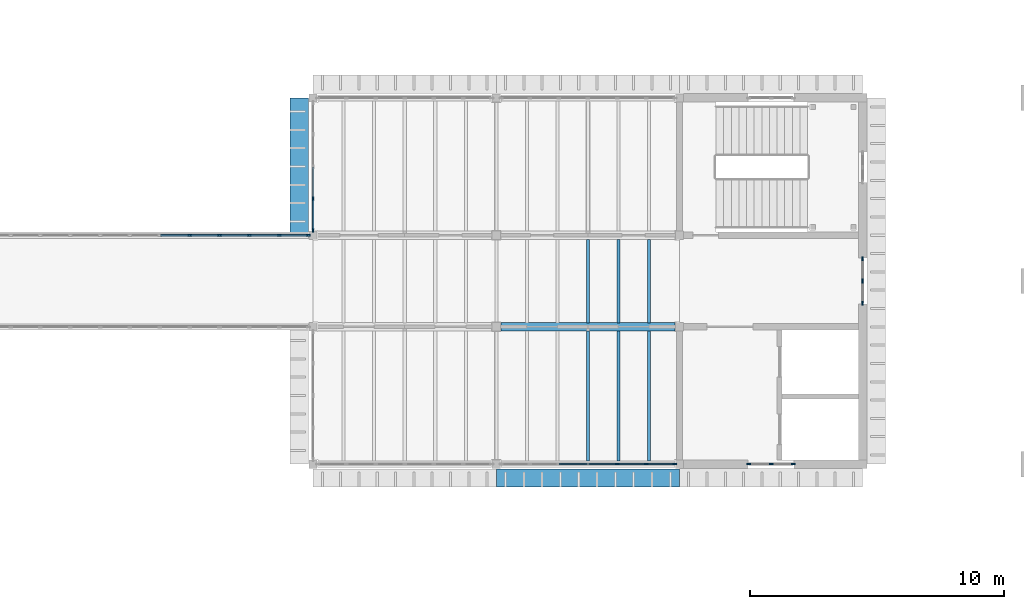
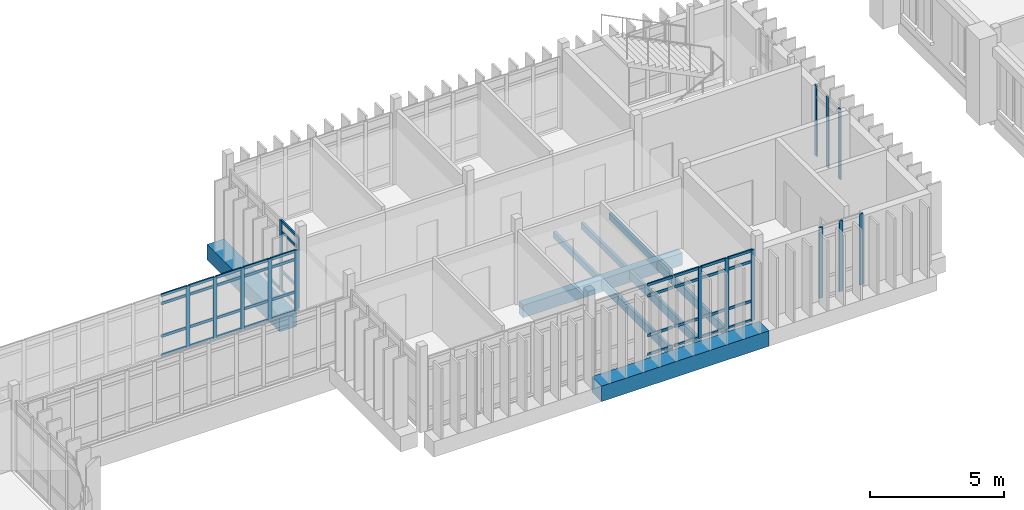
# One storey, part 16 of 71: 59 members, 7 beams, 5 elements without a shape of their own.
"""IFC4 building model written with IfcOpenShell, lengths in metres."""

from ifc_helpers import new_model, si_unit, direction, frame, origin, origin_2d, place, context, subcontext, project, spatial, rectangle, extrude, material, layer, layer_set, material_profile, profile_set, type_object, element, aggregate, save


model = new_model("IFC4")

# Units and contexts
model_context = context("Model", 3, precision=1e-05, world=origin(), true_north=direction((0.0, 1.0)))
body_context = subcontext(model_context, "Body", "Model", "MODEL_VIEW")
ifc_project = project(units=[si_unit("LENGTHUNIT", "METRE"), si_unit("AREAUNIT", "SQUARE_METRE"), si_unit("VOLUMEUNIT", "CUBIC_METRE"), si_unit("PLANEANGLEUNIT", "RADIAN"), si_unit("MASSUNIT", "GRAM", prefix="KILO")], contexts=[model_context])

# Site, building, storey
site_placement = place(None, origin())
site = spatial("IfcSite", under=ifc_project, at=site_placement, CompositionType="ELEMENT")
building_placement = place(site_placement, origin())
building = spatial("IfcBuilding", under=site, at=building_placement, Name="Mazhai Court Health Centre", CompositionType="ELEMENT")
storey_placement = place(building_placement, frame((0.0, 0.0, 10.199951171875)))
storey = spatial("IfcBuildingStorey", under=building, at=storey_placement, Name="L02", CompositionType="ELEMENT", Elevation=10.199951171875)

# Curtain wall, members
ifc_material_1 = material(Name="Teak timber frame, glazed", Category="wood")
ifc_layer_1 = layer(ifc_material_1, 0.10009765625)
ifc_layer_set_1 = layer_set([ifc_layer_1], Name="CURTAIN WALL TIMBER 900")
curtain_wall_type_1 = type_object("IfcCurtainWallType", Name="CURTAIN WALL TIMBER 900", PredefinedType="NOTDEFINED", material=ifc_layer_set_1)
curtain_wall_1_placement = place(storey_placement, origin())
curtain_wall_1 = element("IfcCurtainWall", 1, at=curtain_wall_1_placement, inside=storey, type_object=curtain_wall_type_1, Name="CW-V4-L02-A7", PredefinedType="NOTDEFINED")
ifc_material_2 = material(Name="Teak timber", Category="wood")
ifc_material_profile_1 = material_profile(ifc_material_2, rectangle(XDim=0.06005859375, YDim=0.159912109375, at=origin_2d()), Name="CW MULLION 60x160")
ifc_profile_set_1 = profile_set([ifc_material_profile_1], Name="Teak timber")
member_type_1 = type_object("IfcMemberType", Name="CW MULLION 60x160", PredefinedType="MULLION", material=ifc_profile_set_1)
member_1_placement = place(storey_placement, frame((125.8701171875, 13.39990234375, 0.0), z_axis=(0.0, 0.0, 1.0), x_axis=(0.0, -1.0, 0.0)))
member_1 = element("IfcMember", 2, at=member_1_placement, type_object=member_type_1, Name="CW mullion 1", PredefinedType="MULLION", context=body_context, shape_type="SweptSolid", body=[
    extrude(rectangle(XDim=0.06005859375, YDim=0.159912109375, at=origin_2d()), origin(), (0.0, 0.0, 1.0), 3.219970703125),
])
member_2_placement = place(storey_placement, frame((125.0, 13.39990234375, 0.0), z_axis=(0.0, 0.0, 1.0), x_axis=(0.0, -1.0, 0.0)))
member_2 = element("IfcMember", 3, at=member_2_placement, type_object=member_type_1, Name="CW mullion 2", PredefinedType="MULLION", context=body_context, shape_type="SweptSolid", body=[
    extrude(rectangle(XDim=0.06005859375, YDim=0.159912109375, at=origin_2d()), origin(), (0.0, 0.0, 1.0), 3.219970703125),
])
member_3_placement = place(storey_placement, frame((124.1298828125, 13.39990234375, 0.0), z_axis=(0.0, 0.0, 1.0), x_axis=(0.0, -1.0, 0.0)))
member_3 = element("IfcMember", 4, at=member_3_placement, type_object=member_type_1, Name="CW mullion 3", PredefinedType="MULLION", context=body_context, shape_type="SweptSolid", body=[
    extrude(rectangle(XDim=0.06005859375, YDim=0.159912109375, at=origin_2d()), origin(), (0.0, 0.0, 1.0), 3.219970703125),
])
aggregate(curtain_wall_1, [member_1, member_2, member_3])

curtain_wall_2_placement = place(storey_placement, origin())
curtain_wall_2 = element("IfcCurtainWall", 5, at=curtain_wall_2_placement, inside=storey, type_object=curtain_wall_type_1, Name="CW-V4-L02-ELIFT0", PredefinedType="NOTDEFINED")
member_4_placement = place(storey_placement, frame((128.60009765625, 21.469970703125, 0.0), z_axis=(0.0, 0.0, 1.0), x_axis=(1.0, 0.0, 0.0)))
member_4 = element("IfcMember", 6, at=member_4_placement, type_object=member_type_1, Name="CW mullion 1", PredefinedType="MULLION", context=body_context, shape_type="SweptSolid", body=[
    extrude(rectangle(XDim=0.06005859375, YDim=0.159912109375, at=origin_2d()), origin(), (0.0, 0.0, 1.0), 3.199951171875),
])
member_5_placement = place(storey_placement, frame((128.60009765625, 20.60009765625, 0.0), z_axis=(0.0, 0.0, 1.0), x_axis=(1.0, 0.0, 0.0)))
member_5 = element("IfcMember", 7, at=member_5_placement, type_object=member_type_1, Name="CW mullion 2", PredefinedType="MULLION", context=body_context, shape_type="SweptSolid", body=[
    extrude(rectangle(XDim=0.06005859375, YDim=0.159912109375, at=origin_2d()), origin(), (0.0, 0.0, 1.0), 3.199951171875),
])
member_6_placement = place(storey_placement, frame((128.60009765625, 19.72998046875, 0.0), z_axis=(0.0, 0.0, 1.0), x_axis=(1.0, 0.0, 0.0)))
member_6 = element("IfcMember", 8, at=member_6_placement, type_object=member_type_1, Name="CW mullion 3", PredefinedType="MULLION", context=body_context, shape_type="SweptSolid", body=[
    extrude(rectangle(XDim=0.06005859375, YDim=0.159912109375, at=origin_2d()), origin(), (0.0, 0.0, 1.0), 3.199951171875),
])
aggregate(curtain_wall_2, [member_4, member_5, member_6])

ifc_material_3 = material(Name="Teak timber frame, glazed", Category="wood")
ifc_layer_2 = layer(ifc_material_3, 0.10009765625)
ifc_layer_set_2 = layer_set([ifc_layer_2], Name="CURTAIN WALL TIMBER 1200")
curtain_wall_type_2 = type_object("IfcCurtainWallType", Name="CURTAIN WALL TIMBER 1200", PredefinedType="NOTDEFINED", material=ifc_layer_set_2)
curtain_wall_3_placement = place(storey_placement, origin())
curtain_wall_3 = element("IfcCurtainWall", 9, at=curtain_wall_3_placement, inside=storey, type_object=curtain_wall_type_2, Name="CW-V4-L02-A6", PredefinedType="NOTDEFINED")
member_7_placement = place(storey_placement, frame((121.2099609375, 13.39990234375, 0.0), z_axis=(0.0, 0.0, 1.0), x_axis=(0.0, -1.0, 0.0)))
member_7 = element("IfcMember", 10, at=member_7_placement, type_object=member_type_1, Name="CW mullion 1", PredefinedType="MULLION", context=body_context, shape_type="SweptSolid", body=[
    extrude(rectangle(XDim=0.06005859375, YDim=0.159912109375, at=origin_2d()), origin(), (0.0, 0.0, 1.0), 3.219970703125),
])
member_8_placement = place(storey_placement, frame((120.09326171875, 13.39990234375, 0.0), z_axis=(0.0, 0.0, 1.0), x_axis=(0.0, -1.0, 0.0)))
member_8 = element("IfcMember", 11, at=member_8_placement, type_object=member_type_1, Name="CW mullion 2", PredefinedType="MULLION", context=body_context, shape_type="SweptSolid", body=[
    extrude(rectangle(XDim=0.06005859375, YDim=0.159912109375, at=origin_2d()), origin(), (0.0, 0.0, 1.0), 3.219970703125),
])
member_9_placement = place(storey_placement, frame((118.94677734375, 13.39990234375, 0.0), z_axis=(0.0, 0.0, 1.0), x_axis=(0.0, -1.0, 0.0)))
member_9 = element("IfcMember", 12, at=member_9_placement, type_object=member_type_1, Name="CW mullion 3", PredefinedType="MULLION", context=body_context, shape_type="SweptSolid", body=[
    extrude(rectangle(XDim=0.06005859375, YDim=0.159912109375, at=origin_2d()), origin(), (0.0, 0.0, 1.0), 3.219970703125),
])

curtain_wall_4_placement = place(storey_placement, origin())
curtain_wall_4 = element("IfcCurtainWall", 13, at=curtain_wall_4_placement, inside=storey, type_object=curtain_wall_type_2, Name="CW-V4-L02-CW5-1", PredefinedType="NOTDEFINED")
member_10_placement = place(storey_placement, frame((107.0, 22.590087890625, 0.0), z_axis=(0.0, 0.0, 1.0), x_axis=(-1.0, 0.0, 0.0)))
member_10 = element("IfcMember", 14, at=member_10_placement, type_object=member_type_1, Name="CW mullion 1", PredefinedType="MULLION", context=body_context, shape_type="SweptSolid", body=[
    extrude(rectangle(XDim=0.06005859375, YDim=0.159912109375, at=origin_2d()), origin(), (0.0, 0.0, 1.0), 3.199951171875),
])
member_11_placement = place(storey_placement, frame((107.0, 23.830078125, 0.0), z_axis=(0.0, 0.0, 1.0), x_axis=(-1.0, 0.0, 0.0)))
member_11 = element("IfcMember", 15, at=member_11_placement, type_object=member_type_1, Name="CW mullion 2", PredefinedType="MULLION", context=body_context, shape_type="SweptSolid", body=[
    extrude(rectangle(XDim=0.06005859375, YDim=0.159912109375, at=origin_2d()), origin(), (0.0, 0.0, 1.0), 3.199951171875),
])

curtain_wall_5_placement = place(storey_placement, origin())
curtain_wall_5 = element("IfcCurtainWall", 16, at=curtain_wall_5_placement, inside=storey, type_object=curtain_wall_type_2, Name="CW-BR-LC2-N", PredefinedType="NOTDEFINED")
member_12_placement = place(storey_placement, frame((102.146728515625, 22.39990234375, 0.0), z_axis=(0.0, 0.0, 1.0), x_axis=(0.0, 1.0, 0.0)))
member_12 = element("IfcMember", 17, at=member_12_placement, type_object=member_type_1, Name="CW mullion 9", PredefinedType="MULLION", context=body_context, shape_type="SweptSolid", body=[
    extrude(rectangle(XDim=0.06005859375, YDim=0.159912109375, at=origin_2d()), origin(), (0.0, 0.0, 1.0), 2.780029296875),
])
member_13_placement = place(storey_placement, frame((103.320068359375, 22.39990234375, 0.0), z_axis=(0.0, 0.0, 1.0), x_axis=(0.0, 1.0, 0.0)))
member_13 = element("IfcMember", 18, at=member_13_placement, type_object=member_type_1, Name="CW mullion 10", PredefinedType="MULLION", context=body_context, shape_type="SweptSolid", body=[
    extrude(rectangle(XDim=0.06005859375, YDim=0.159912109375, at=origin_2d()), origin(), (0.0, 0.0, 1.0), 2.780029296875),
])
member_14_placement = place(storey_placement, frame((104.493408203125, 22.39990234375, 0.0), z_axis=(0.0, 0.0, 1.0), x_axis=(0.0, 1.0, 0.0)))
member_14 = element("IfcMember", 19, at=member_14_placement, type_object=member_type_1, Name="CW mullion 11", PredefinedType="MULLION", context=body_context, shape_type="SweptSolid", body=[
    extrude(rectangle(XDim=0.06005859375, YDim=0.159912109375, at=origin_2d()), origin(), (0.0, 0.0, 1.0), 2.780029296875),
])
member_15_placement = place(storey_placement, frame((105.666748046875, 22.39990234375, 0.0), z_axis=(0.0, 0.0, 1.0), x_axis=(0.0, 1.0, 0.0)))
member_15 = element("IfcMember", 20, at=member_15_placement, type_object=member_type_1, Name="CW mullion 12", PredefinedType="MULLION", context=body_context, shape_type="SweptSolid", body=[
    extrude(rectangle(XDim=0.06005859375, YDim=0.159912109375, at=origin_2d()), origin(), (0.0, 0.0, 1.0), 2.780029296875),
])
member_16_placement = place(storey_placement, frame((106.81005859375, 22.39990234375, 0.0), z_axis=(0.0, 0.0, 1.0), x_axis=(0.0, 1.0, 0.0)))
member_16 = element("IfcMember", 21, at=member_16_placement, type_object=member_type_1, Name="CW mullion 13", PredefinedType="MULLION", context=body_context, shape_type="SweptSolid", body=[
    extrude(rectangle(XDim=0.06005859375, YDim=0.159912109375, at=origin_2d()), origin(), (0.0, 0.0, 1.0), 2.780029296875),
])

# Member
ifc_material_4 = material(Name="Teak timber", Category="wood")
ifc_material_profile_2 = material_profile(ifc_material_4, rectangle(XDim=0.06005859375, YDim=0.1201171875, at=origin_2d()), Name="CW TRANSOM 60x120")
ifc_profile_set_2 = profile_set([ifc_material_profile_2], Name="Teak timber")
member_type_2 = type_object("IfcMemberType", Name="CW TRANSOM 60x120", PredefinedType="USERDEFINED", material=ifc_profile_set_2)
member_17_placement = place(storey_placement, frame((121.179931640625, 13.39990234375, 0.030029296875), z_axis=(-1.0, 0.0, 0.0), x_axis=(0.0, -1.0, 0.0)))
member_17 = element("IfcMember", 22, at=member_17_placement, type_object=member_type_2, Name="CW transom 1.1", ObjectType="TRANSOM", PredefinedType="USERDEFINED", context=body_context, shape_type="SweptSolid", body=[
    extrude(rectangle(XDim=0.06005859375, YDim=0.1201171875, at=origin_2d()), origin(), (0.0, 0.0, 1.0), 1.056640625),
])

member_18_placement = place(storey_placement, frame((121.179931640625, 13.39990234375, 0.900146484375), z_axis=(-1.0, 0.0, 0.0), x_axis=(0.0, -1.0, 0.0)))
member_18 = element("IfcMember", 23, at=member_18_placement, type_object=member_type_2, Name="CW transom 1.2", ObjectType="TRANSOM", PredefinedType="USERDEFINED", context=body_context, shape_type="SweptSolid", body=[
    extrude(rectangle(XDim=0.06005859375, YDim=0.1201171875, at=origin_2d()), origin(), (0.0, 0.0, 1.0), 1.056640625),
])

member_19_placement = place(storey_placement, frame((121.179931640625, 13.39990234375, 2.699951171875), z_axis=(-1.0, 0.0, 0.0), x_axis=(0.0, -1.0, 0.0)))
member_19 = element("IfcMember", 24, at=member_19_placement, type_object=member_type_2, Name="CW transom 1.3", ObjectType="TRANSOM", PredefinedType="USERDEFINED", context=body_context, shape_type="SweptSolid", body=[
    extrude(rectangle(XDim=0.06005859375, YDim=0.1201171875, at=origin_2d()), origin(), (0.0, 0.0, 1.0), 1.056640625),
])

member_20_placement = place(storey_placement, frame((121.179931640625, 13.39990234375, 3.18994140625), z_axis=(-1.0, 0.0, 0.0), x_axis=(0.0, -1.0, 0.0)))
member_20 = element("IfcMember", 25, at=member_20_placement, type_object=member_type_2, Name="CW transom 1.4", ObjectType="TRANSOM", PredefinedType="USERDEFINED", context=body_context, shape_type="SweptSolid", body=[
    extrude(rectangle(XDim=0.06005859375, YDim=0.1201171875, at=origin_2d()), origin(), (0.0, 0.0, 1.0), 1.056640625),
])

member_21_placement = place(storey_placement, frame((120.063232421875, 13.39990234375, 0.030029296875), z_axis=(-1.0, 0.0, 0.0), x_axis=(0.0, -1.0, 0.0)))
member_21 = element("IfcMember", 26, at=member_21_placement, type_object=member_type_2, Name="CW transom 2.1", ObjectType="TRANSOM", PredefinedType="USERDEFINED", context=body_context, shape_type="SweptSolid", body=[
    extrude(rectangle(XDim=0.06005859375, YDim=0.1201171875, at=origin_2d()), origin(), (0.0, 0.0, 1.0), 1.086669921875),
])

member_22_placement = place(storey_placement, frame((120.063232421875, 13.39990234375, 0.900146484375), z_axis=(-1.0, 0.0, 0.0), x_axis=(0.0, -1.0, 0.0)))
member_22 = element("IfcMember", 27, at=member_22_placement, type_object=member_type_2, Name="CW transom 2.2", ObjectType="TRANSOM", PredefinedType="USERDEFINED", context=body_context, shape_type="SweptSolid", body=[
    extrude(rectangle(XDim=0.06005859375, YDim=0.1201171875, at=origin_2d()), origin(), (0.0, 0.0, 1.0), 1.086669921875),
])

member_23_placement = place(storey_placement, frame((120.063232421875, 13.39990234375, 2.699951171875), z_axis=(-1.0, 0.0, 0.0), x_axis=(0.0, -1.0, 0.0)))
member_23 = element("IfcMember", 28, at=member_23_placement, type_object=member_type_2, Name="CW transom 2.3", ObjectType="TRANSOM", PredefinedType="USERDEFINED", context=body_context, shape_type="SweptSolid", body=[
    extrude(rectangle(XDim=0.06005859375, YDim=0.1201171875, at=origin_2d()), origin(), (0.0, 0.0, 1.0), 1.086669921875),
])

member_24_placement = place(storey_placement, frame((120.063232421875, 13.39990234375, 3.18994140625), z_axis=(-1.0, 0.0, 0.0), x_axis=(0.0, -1.0, 0.0)))
member_24 = element("IfcMember", 29, at=member_24_placement, type_object=member_type_2, Name="CW transom 2.4", ObjectType="TRANSOM", PredefinedType="USERDEFINED", context=body_context, shape_type="SweptSolid", body=[
    extrude(rectangle(XDim=0.06005859375, YDim=0.1201171875, at=origin_2d()), origin(), (0.0, 0.0, 1.0), 1.086669921875),
])

member_25_placement = place(storey_placement, frame((118.916748046875, 13.39990234375, 0.030029296875), z_axis=(-1.0, 0.0, 0.0), x_axis=(0.0, -1.0, 0.0)))
member_25 = element("IfcMember", 30, at=member_25_placement, type_object=member_type_2, Name="CW transom 3.1", ObjectType="TRANSOM", PredefinedType="USERDEFINED", context=body_context, shape_type="SweptSolid", body=[
    extrude(rectangle(XDim=0.06005859375, YDim=0.1201171875, at=origin_2d()), origin(), (0.0, 0.0, 1.0), 1.086669921875),
])

member_26_placement = place(storey_placement, frame((118.916748046875, 13.39990234375, 0.900146484375), z_axis=(-1.0, 0.0, 0.0), x_axis=(0.0, -1.0, 0.0)))
member_26 = element("IfcMember", 31, at=member_26_placement, type_object=member_type_2, Name="CW transom 3.2", ObjectType="TRANSOM", PredefinedType="USERDEFINED", context=body_context, shape_type="SweptSolid", body=[
    extrude(rectangle(XDim=0.06005859375, YDim=0.1201171875, at=origin_2d()), origin(), (0.0, 0.0, 1.0), 1.086669921875),
])

member_27_placement = place(storey_placement, frame((118.916748046875, 13.39990234375, 2.699951171875), z_axis=(-1.0, 0.0, 0.0), x_axis=(0.0, -1.0, 0.0)))
member_27 = element("IfcMember", 32, at=member_27_placement, type_object=member_type_2, Name="CW transom 3.3", ObjectType="TRANSOM", PredefinedType="USERDEFINED", context=body_context, shape_type="SweptSolid", body=[
    extrude(rectangle(XDim=0.06005859375, YDim=0.1201171875, at=origin_2d()), origin(), (0.0, 0.0, 1.0), 1.086669921875),
])

member_28_placement = place(storey_placement, frame((118.916748046875, 13.39990234375, 3.18994140625), z_axis=(-1.0, 0.0, 0.0), x_axis=(0.0, -1.0, 0.0)))
member_28 = element("IfcMember", 33, at=member_28_placement, type_object=member_type_2, Name="CW transom 3.4", ObjectType="TRANSOM", PredefinedType="USERDEFINED", context=body_context, shape_type="SweptSolid", body=[
    extrude(rectangle(XDim=0.06005859375, YDim=0.1201171875, at=origin_2d()), origin(), (0.0, 0.0, 1.0), 1.086669921875),
])

member_29_placement = place(storey_placement, frame((117.77001953125, 13.39990234375, 0.030029296875), z_axis=(-1.0, 0.0, 0.0), x_axis=(0.0, -1.0, 0.0)))
member_29 = element("IfcMember", 34, at=member_29_placement, type_object=member_type_2, Name="CW transom 4.1", ObjectType="TRANSOM", PredefinedType="USERDEFINED", context=body_context, shape_type="SweptSolid", body=[
    extrude(rectangle(XDim=0.06005859375, YDim=0.1201171875, at=origin_2d()), origin(), (0.0, 0.0, 1.0), 1.086669921875),
])

member_30_placement = place(storey_placement, frame((117.77001953125, 13.39990234375, 0.900146484375), z_axis=(-1.0, 0.0, 0.0), x_axis=(0.0, -1.0, 0.0)))
member_30 = element("IfcMember", 35, at=member_30_placement, type_object=member_type_2, Name="CW transom 4.2", ObjectType="TRANSOM", PredefinedType="USERDEFINED", context=body_context, shape_type="SweptSolid", body=[
    extrude(rectangle(XDim=0.06005859375, YDim=0.1201171875, at=origin_2d()), origin(), (0.0, 0.0, 1.0), 1.086669921875),
])

member_31_placement = place(storey_placement, frame((117.77001953125, 13.39990234375, 2.699951171875), z_axis=(-1.0, 0.0, 0.0), x_axis=(0.0, -1.0, 0.0)))
member_31 = element("IfcMember", 36, at=member_31_placement, type_object=member_type_2, Name="CW transom 4.3", ObjectType="TRANSOM", PredefinedType="USERDEFINED", context=body_context, shape_type="SweptSolid", body=[
    extrude(rectangle(XDim=0.06005859375, YDim=0.1201171875, at=origin_2d()), origin(), (0.0, 0.0, 1.0), 1.086669921875),
])

member_32_placement = place(storey_placement, frame((117.77001953125, 13.39990234375, 3.18994140625), z_axis=(-1.0, 0.0, 0.0), x_axis=(0.0, -1.0, 0.0)))
member_32 = element("IfcMember", 37, at=member_32_placement, type_object=member_type_2, Name="CW transom 4.4", ObjectType="TRANSOM", PredefinedType="USERDEFINED", context=body_context, shape_type="SweptSolid", body=[
    extrude(rectangle(XDim=0.06005859375, YDim=0.1201171875, at=origin_2d()), origin(), (0.0, 0.0, 1.0), 1.086669921875),
])

aggregate(curtain_wall_3, [member_7, member_8, member_9, member_17, member_18, member_19, member_20, member_21, member_22, member_23, member_24, member_25, member_26, member_27, member_28, member_29, member_30, member_31, member_32])

member_33_placement = place(storey_placement, frame((107.0, 22.6201171875, 0.030029296875), z_axis=(0.0, 1.0, 0.0), x_axis=(-1.0, 0.0, 0.0)))
member_33 = element("IfcMember", 38, at=member_33_placement, type_object=member_type_2, Name="CW transom 1.1", ObjectType="TRANSOM", PredefinedType="USERDEFINED", context=body_context, shape_type="SweptSolid", body=[
    extrude(rectangle(XDim=0.06005859375, YDim=0.1201171875, at=origin_2d()), origin(), (0.0, 0.0, 1.0), 1.179931640625),
])

member_34_placement = place(storey_placement, frame((107.0, 22.6201171875, 0.900146484375), z_axis=(0.0, 1.0, 0.0), x_axis=(-1.0, 0.0, 0.0)))
member_34 = element("IfcMember", 39, at=member_34_placement, type_object=member_type_2, Name="CW transom 1.2", ObjectType="TRANSOM", PredefinedType="USERDEFINED", context=body_context, shape_type="SweptSolid", body=[
    extrude(rectangle(XDim=0.06005859375, YDim=0.1201171875, at=origin_2d()), origin(), (0.0, 0.0, 1.0), 1.179931640625),
])

member_35_placement = place(storey_placement, frame((107.0, 22.6201171875, 2.699951171875), z_axis=(0.0, 1.0, 0.0), x_axis=(-1.0, 0.0, 0.0)))
member_35 = element("IfcMember", 40, at=member_35_placement, type_object=member_type_2, Name="CW transom 1.3", ObjectType="TRANSOM", PredefinedType="USERDEFINED", context=body_context, shape_type="SweptSolid", body=[
    extrude(rectangle(XDim=0.06005859375, YDim=0.1201171875, at=origin_2d()), origin(), (0.0, 0.0, 1.0), 1.179931640625),
])

member_36_placement = place(storey_placement, frame((107.0, 22.6201171875, 3.170166015625), z_axis=(0.0, 1.0, 0.0), x_axis=(-1.0, 0.0, 0.0)))
member_36 = element("IfcMember", 41, at=member_36_placement, type_object=member_type_2, Name="CW transom 1.4", ObjectType="TRANSOM", PredefinedType="USERDEFINED", context=body_context, shape_type="SweptSolid", body=[
    extrude(rectangle(XDim=0.06005859375, YDim=0.1201171875, at=origin_2d()), origin(), (0.0, 0.0, 1.0), 1.179931640625),
])

member_37_placement = place(storey_placement, frame((107.0, 23.860107421875, 0.030029296875), z_axis=(0.0, 1.0, 0.0), x_axis=(-1.0, 0.0, 0.0)))
member_37 = element("IfcMember", 42, at=member_37_placement, type_object=member_type_2, Name="CW transom 2.1", ObjectType="TRANSOM", PredefinedType="USERDEFINED", context=body_context, shape_type="SweptSolid", body=[
    extrude(rectangle(XDim=0.06005859375, YDim=0.1201171875, at=origin_2d()), origin(), (0.0, 0.0, 1.0), 1.2099609375),
])

aggregate(curtain_wall_4, [member_10, member_11, member_33, member_34, member_35, member_36, member_37])

member_38_placement = place(storey_placement, frame((101.00341796875, 22.39990234375, 0.030029296875), z_axis=(1.0, 0.0, 0.0), x_axis=(0.0, 1.0, 0.0)))
member_38 = element("IfcMember", 43, at=member_38_placement, type_object=member_type_2, Name="CW transom 8.1", ObjectType="TRANSOM", PredefinedType="USERDEFINED", context=body_context, shape_type="SweptSolid", body=[
    extrude(rectangle(XDim=0.06005859375, YDim=0.1201171875, at=origin_2d()), origin(), (0.0, 0.0, 1.0), 1.11328125),
])

member_39_placement = place(storey_placement, frame((101.00341796875, 22.39990234375, 0.900146484375), z_axis=(1.0, 0.0, 0.0), x_axis=(0.0, 1.0, 0.0)))
member_39 = element("IfcMember", 44, at=member_39_placement, type_object=member_type_2, Name="CW transom 8.2", ObjectType="TRANSOM", PredefinedType="USERDEFINED", context=body_context, shape_type="SweptSolid", body=[
    extrude(rectangle(XDim=0.06005859375, YDim=0.1201171875, at=origin_2d()), origin(), (0.0, 0.0, 1.0), 1.11328125),
])

member_40_placement = place(storey_placement, frame((101.00341796875, 22.39990234375, 2.380126953125), z_axis=(1.0, 0.0, 0.0), x_axis=(0.0, 1.0, 0.0)))
member_40 = element("IfcMember", 45, at=member_40_placement, type_object=member_type_2, Name="CW transom 8.3", ObjectType="TRANSOM", PredefinedType="USERDEFINED", context=body_context, shape_type="SweptSolid", body=[
    extrude(rectangle(XDim=0.06005859375, YDim=0.1201171875, at=origin_2d()), origin(), (0.0, 0.0, 1.0), 1.11328125),
])

member_41_placement = place(storey_placement, frame((101.00341796875, 22.39990234375, 2.75), z_axis=(1.0, 0.0, 0.0), x_axis=(0.0, 1.0, 0.0)))
member_41 = element("IfcMember", 46, at=member_41_placement, type_object=member_type_2, Name="CW transom 8.4", ObjectType="TRANSOM", PredefinedType="USERDEFINED", context=body_context, shape_type="SweptSolid", body=[
    extrude(rectangle(XDim=0.06005859375, YDim=0.1201171875, at=origin_2d()), origin(), (0.0, 0.0, 1.0), 1.11328125),
])

member_42_placement = place(storey_placement, frame((102.1767578125, 22.39990234375, 0.030029296875), z_axis=(1.0, 0.0, 0.0), x_axis=(0.0, 1.0, 0.0)))
member_42 = element("IfcMember", 47, at=member_42_placement, type_object=member_type_2, Name="CW transom 9.1", ObjectType="TRANSOM", PredefinedType="USERDEFINED", context=body_context, shape_type="SweptSolid", body=[
    extrude(rectangle(XDim=0.06005859375, YDim=0.1201171875, at=origin_2d()), origin(), (0.0, 0.0, 1.0), 1.11328125),
])

member_43_placement = place(storey_placement, frame((102.1767578125, 22.39990234375, 0.900146484375), z_axis=(1.0, 0.0, 0.0), x_axis=(0.0, 1.0, 0.0)))
member_43 = element("IfcMember", 48, at=member_43_placement, type_object=member_type_2, Name="CW transom 9.2", ObjectType="TRANSOM", PredefinedType="USERDEFINED", context=body_context, shape_type="SweptSolid", body=[
    extrude(rectangle(XDim=0.06005859375, YDim=0.1201171875, at=origin_2d()), origin(), (0.0, 0.0, 1.0), 1.11328125),
])

member_44_placement = place(storey_placement, frame((102.1767578125, 22.39990234375, 2.380126953125), z_axis=(1.0, 0.0, 0.0), x_axis=(0.0, 1.0, 0.0)))
member_44 = element("IfcMember", 49, at=member_44_placement, type_object=member_type_2, Name="CW transom 9.3", ObjectType="TRANSOM", PredefinedType="USERDEFINED", context=body_context, shape_type="SweptSolid", body=[
    extrude(rectangle(XDim=0.06005859375, YDim=0.1201171875, at=origin_2d()), origin(), (0.0, 0.0, 1.0), 1.11328125),
])

member_45_placement = place(storey_placement, frame((102.1767578125, 22.39990234375, 2.75), z_axis=(1.0, 0.0, 0.0), x_axis=(0.0, 1.0, 0.0)))
member_45 = element("IfcMember", 50, at=member_45_placement, type_object=member_type_2, Name="CW transom 9.4", ObjectType="TRANSOM", PredefinedType="USERDEFINED", context=body_context, shape_type="SweptSolid", body=[
    extrude(rectangle(XDim=0.06005859375, YDim=0.1201171875, at=origin_2d()), origin(), (0.0, 0.0, 1.0), 1.11328125),
])

member_46_placement = place(storey_placement, frame((103.35009765625, 22.39990234375, 0.030029296875), z_axis=(1.0, 0.0, 0.0), x_axis=(0.0, 1.0, 0.0)))
member_46 = element("IfcMember", 51, at=member_46_placement, type_object=member_type_2, Name="CW transom 10.1", ObjectType="TRANSOM", PredefinedType="USERDEFINED", context=body_context, shape_type="SweptSolid", body=[
    extrude(rectangle(XDim=0.06005859375, YDim=0.1201171875, at=origin_2d()), origin(), (0.0, 0.0, 1.0), 1.11328125),
])

member_47_placement = place(storey_placement, frame((103.35009765625, 22.39990234375, 0.900146484375), z_axis=(1.0, 0.0, 0.0), x_axis=(0.0, 1.0, 0.0)))
member_47 = element("IfcMember", 52, at=member_47_placement, type_object=member_type_2, Name="CW transom 10.2", ObjectType="TRANSOM", PredefinedType="USERDEFINED", context=body_context, shape_type="SweptSolid", body=[
    extrude(rectangle(XDim=0.06005859375, YDim=0.1201171875, at=origin_2d()), origin(), (0.0, 0.0, 1.0), 1.11328125),
])

member_48_placement = place(storey_placement, frame((103.35009765625, 22.39990234375, 2.380126953125), z_axis=(1.0, 0.0, 0.0), x_axis=(0.0, 1.0, 0.0)))
member_48 = element("IfcMember", 53, at=member_48_placement, type_object=member_type_2, Name="CW transom 10.3", ObjectType="TRANSOM", PredefinedType="USERDEFINED", context=body_context, shape_type="SweptSolid", body=[
    extrude(rectangle(XDim=0.06005859375, YDim=0.1201171875, at=origin_2d()), origin(), (0.0, 0.0, 1.0), 1.11328125),
])

member_49_placement = place(storey_placement, frame((103.35009765625, 22.39990234375, 2.75), z_axis=(1.0, 0.0, 0.0), x_axis=(0.0, 1.0, 0.0)))
member_49 = element("IfcMember", 54, at=member_49_placement, type_object=member_type_2, Name="CW transom 10.4", ObjectType="TRANSOM", PredefinedType="USERDEFINED", context=body_context, shape_type="SweptSolid", body=[
    extrude(rectangle(XDim=0.06005859375, YDim=0.1201171875, at=origin_2d()), origin(), (0.0, 0.0, 1.0), 1.11328125),
])

member_50_placement = place(storey_placement, frame((104.5234375, 22.39990234375, 0.030029296875), z_axis=(1.0, 0.0, 0.0), x_axis=(0.0, 1.0, 0.0)))
member_50 = element("IfcMember", 55, at=member_50_placement, type_object=member_type_2, Name="CW transom 11.1", ObjectType="TRANSOM", PredefinedType="USERDEFINED", context=body_context, shape_type="SweptSolid", body=[
    extrude(rectangle(XDim=0.06005859375, YDim=0.1201171875, at=origin_2d()), origin(), (0.0, 0.0, 1.0), 1.11328125),
])

member_51_placement = place(storey_placement, frame((104.5234375, 22.39990234375, 0.900146484375), z_axis=(1.0, 0.0, 0.0), x_axis=(0.0, 1.0, 0.0)))
member_51 = element("IfcMember", 56, at=member_51_placement, type_object=member_type_2, Name="CW transom 11.2", ObjectType="TRANSOM", PredefinedType="USERDEFINED", context=body_context, shape_type="SweptSolid", body=[
    extrude(rectangle(XDim=0.06005859375, YDim=0.1201171875, at=origin_2d()), origin(), (0.0, 0.0, 1.0), 1.11328125),
])

member_52_placement = place(storey_placement, frame((104.5234375, 22.39990234375, 2.380126953125), z_axis=(1.0, 0.0, 0.0), x_axis=(0.0, 1.0, 0.0)))
member_52 = element("IfcMember", 57, at=member_52_placement, type_object=member_type_2, Name="CW transom 11.3", ObjectType="TRANSOM", PredefinedType="USERDEFINED", context=body_context, shape_type="SweptSolid", body=[
    extrude(rectangle(XDim=0.06005859375, YDim=0.1201171875, at=origin_2d()), origin(), (0.0, 0.0, 1.0), 1.11328125),
])

member_53_placement = place(storey_placement, frame((104.5234375, 22.39990234375, 2.75), z_axis=(1.0, 0.0, 0.0), x_axis=(0.0, 1.0, 0.0)))
member_53 = element("IfcMember", 58, at=member_53_placement, type_object=member_type_2, Name="CW transom 11.4", ObjectType="TRANSOM", PredefinedType="USERDEFINED", context=body_context, shape_type="SweptSolid", body=[
    extrude(rectangle(XDim=0.06005859375, YDim=0.1201171875, at=origin_2d()), origin(), (0.0, 0.0, 1.0), 1.11328125),
])

member_54_placement = place(storey_placement, frame((105.69677734375, 22.39990234375, 0.030029296875), z_axis=(1.0, 0.0, 0.0), x_axis=(0.0, 1.0, 0.0)))
member_54 = element("IfcMember", 59, at=member_54_placement, type_object=member_type_2, Name="CW transom 12.1", ObjectType="TRANSOM", PredefinedType="USERDEFINED", context=body_context, shape_type="SweptSolid", body=[
    extrude(rectangle(XDim=0.06005859375, YDim=0.1201171875, at=origin_2d()), origin(), (0.0, 0.0, 1.0), 1.083251953125),
])

member_55_placement = place(storey_placement, frame((105.69677734375, 22.39990234375, 0.900146484375), z_axis=(1.0, 0.0, 0.0), x_axis=(0.0, 1.0, 0.0)))
member_55 = element("IfcMember", 60, at=member_55_placement, type_object=member_type_2, Name="CW transom 12.2", ObjectType="TRANSOM", PredefinedType="USERDEFINED", context=body_context, shape_type="SweptSolid", body=[
    extrude(rectangle(XDim=0.06005859375, YDim=0.1201171875, at=origin_2d()), origin(), (0.0, 0.0, 1.0), 1.083251953125),
])

member_56_placement = place(storey_placement, frame((105.69677734375, 22.39990234375, 2.380126953125), z_axis=(1.0, 0.0, 0.0), x_axis=(0.0, 1.0, 0.0)))
member_56 = element("IfcMember", 61, at=member_56_placement, type_object=member_type_2, Name="CW transom 12.3", ObjectType="TRANSOM", PredefinedType="USERDEFINED", context=body_context, shape_type="SweptSolid", body=[
    extrude(rectangle(XDim=0.06005859375, YDim=0.1201171875, at=origin_2d()), origin(), (0.0, 0.0, 1.0), 1.083251953125),
])

member_57_placement = place(storey_placement, frame((105.69677734375, 22.39990234375, 2.75), z_axis=(1.0, 0.0, 0.0), x_axis=(0.0, 1.0, 0.0)))
member_57 = element("IfcMember", 62, at=member_57_placement, type_object=member_type_2, Name="CW transom 12.4", ObjectType="TRANSOM", PredefinedType="USERDEFINED", context=body_context, shape_type="SweptSolid", body=[
    extrude(rectangle(XDim=0.06005859375, YDim=0.1201171875, at=origin_2d()), origin(), (0.0, 0.0, 1.0), 1.083251953125),
])

aggregate(curtain_wall_5, [member_12, member_13, member_14, member_15, member_16, member_38, member_39, member_40, member_41, member_42, member_43, member_44, member_45, member_46, member_47, member_48, member_49, member_50, member_51, member_52, member_53, member_54, member_55, member_56, member_57])

# Members
ifc_material_5 = material(Name="Glulam GL24h", Category="wood")
ifc_material_profile_3 = material_profile(ifc_material_5, rectangle(XDim=0.719970703125, YDim=0.699951171875, at=origin_2d()), Name="FIN RAIL 720x700")
ifc_profile_set_3 = profile_set([ifc_material_profile_3], Name="Glulam GL24h")
member_type_3 = type_object("IfcMemberType", Name="FIN RAIL 720x700", PredefinedType="USERDEFINED", material=ifc_profile_set_3)
member_58_placement = place(storey_placement, frame((121.39990234375, 12.860107421875, -0.349853515625), z_axis=(-1.0, 0.0, 0.0), x_axis=(0.0, -1.0, 0.0)))
element("IfcMember", 63, at=member_58_placement, inside=storey, type_object=member_type_3, Name="FR-V4-A4-L02", ObjectType="FIN RAIL", PredefinedType="USERDEFINED", context=body_context, shape_type="SweptSolid", body=[
    extrude(rectangle(XDim=0.719970703125, YDim=0.699951171875, at=origin_2d()), origin(), (0.0, 0.0, 1.0), 7.199951171875),
])
member_59_placement = place(storey_placement, frame((106.4599609375, 22.39990234375, -0.349853515625), z_axis=(0.0, 1.0, 0.0), x_axis=(-1.0, 0.0, 0.0)))
element("IfcMember", 64, at=member_59_placement, inside=storey, type_object=member_type_3, Name="FR-V4-CW5-1-L02", ObjectType="FIN RAIL", PredefinedType="USERDEFINED", context=body_context, shape_type="SweptSolid", body=[
    extrude(rectangle(XDim=0.719970703125, YDim=0.699951171875, at=origin_2d()), origin(), (0.0, 0.0, 1.0), 5.400146484375),
])

# Beams
ifc_material_6 = material(Name="Glulam GL24h", Category="wood")
ifc_material_profile_4 = material_profile(ifc_material_6, rectangle(XDim=0.1201171875, YDim=0.280029296875, at=origin_2d()), Name="GL24h 120x280")
ifc_profile_set_4 = profile_set([ifc_material_profile_4], Name="Glulam GL24h")
beam_type_1 = type_object("IfcBeamType", Name="GL24h 120x280 joist", PredefinedType="JOIST", material=ifc_profile_set_4)
for number, where, z_axis, x_axis, name in (
    (65, (117.800048828125, 18.9599609375, -0.260009765625), (0.0, 1.0, 0.0), (-1.0, 0.0, 0.0), "joist-V4-L02-6-B3"),
    (66, (119.0, 18.9599609375, -0.260009765625), (0.0, 1.0, 0.0), (-1.0, 0.0, 0.0), "joist-V4-L02-6-B4"),
    (67, (120.199951171875, 18.9599609375, -0.260009765625), (0.0, 1.0, 0.0), (-1.0, 0.0, 0.0), "joist-V4-L02-6-B5"),
):
    element("IfcBeam", number, at=place(storey_placement, frame(where, z_axis=z_axis, x_axis=x_axis)), inside=storey, type_object=beam_type_1, Name=name, PredefinedType="JOIST", context=body_context, shape_type="SweptSolid", body=[
        extrude(rectangle(XDim=0.1201171875, YDim=0.280029296875, at=origin_2d()), origin(), (0.0, 0.0, 1.0), 3.280029296875),
    ])
ifc_material_7 = material(Name="Glulam GL24h", Category="wood")
ifc_material_profile_5 = material_profile(ifc_material_7, rectangle(XDim=0.1201171875, YDim=0.39990234375, at=origin_2d()), Name="GL24h 120x400")
ifc_profile_set_5 = profile_set([ifc_material_profile_5], Name="Glulam GL24h")
beam_type_2 = type_object("IfcBeamType", Name="GL24h 120x400 joist", PredefinedType="JOIST", material=ifc_profile_set_5)
for number, where, z_axis, x_axis, name in (
    (68, (117.800048828125, 13.52001953125, -0.320068359375), (0.0, 1.0, 0.0), (-1.0, 0.0, 0.0), "joist-V4-L02-6-A3"),
    (69, (119.0, 13.52001953125, -0.320068359375), (0.0, 1.0, 0.0), (-1.0, 0.0, 0.0), "joist-V4-L02-6-A4"),
    (70, (120.199951171875, 13.52001953125, -0.320068359375), (0.0, 1.0, 0.0), (-1.0, 0.0, 0.0), "joist-V4-L02-6-A5"),
):
    element("IfcBeam", number, at=place(storey_placement, frame(where, z_axis=z_axis, x_axis=x_axis)), inside=storey, type_object=beam_type_2, Name=name, PredefinedType="JOIST", context=body_context, shape_type="SweptSolid", body=[
        extrude(rectangle(XDim=0.1201171875, YDim=0.39990234375, at=origin_2d()), origin(), (0.0, 0.0, 1.0), 5.119873046875),
    ])
ifc_material_8 = material(Name="Glulam GL28h", Category="wood")
ifc_material_profile_6 = material_profile(ifc_material_8, rectangle(XDim=0.320068359375, YDim=0.56005859375, at=origin_2d()), Name="GL28h 320x560")
ifc_profile_set_6 = profile_set([ifc_material_profile_6], Name="Glulam GL28h")
beam_type_3 = type_object("IfcBeamType", Name="GL28h 320x560 beam", PredefinedType="BEAM", material=ifc_profile_set_6)
beam_placement = place(storey_placement, frame((114.3798828125, 18.800048828125, -0.39990234375), z_axis=(1.0, 0.0, 0.0), x_axis=(0.0, 1.0, 0.0)))
element("IfcBeam", 71, at=beam_placement, inside=storey, type_object=beam_type_3, Name="beam-V4-L02-6-B", PredefinedType="BEAM", context=body_context, shape_type="SweptSolid", body=[
    extrude(rectangle(XDim=0.320068359375, YDim=0.56005859375, at=origin_2d()), origin(), (0.0, 0.0, 1.0), 6.840087890625),
])

save(model, "model.ifc")
